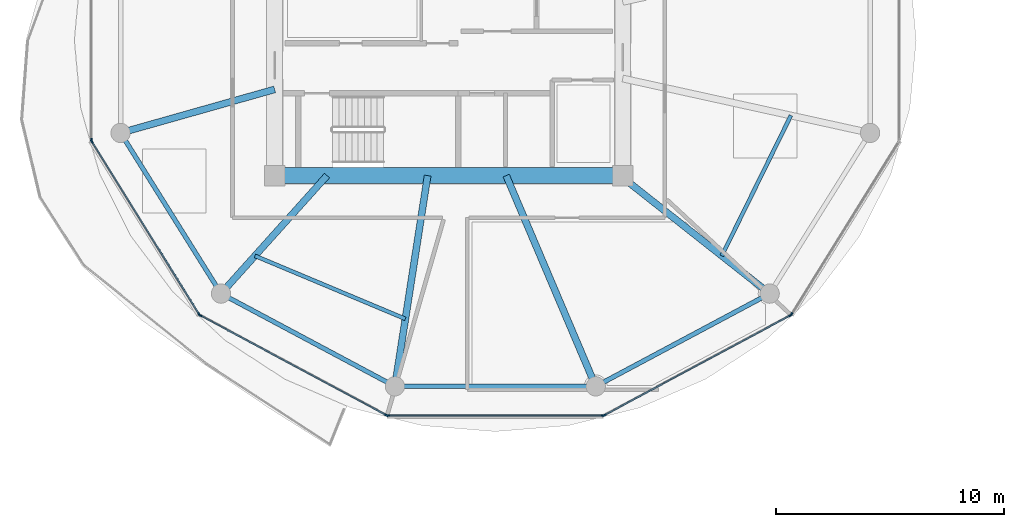
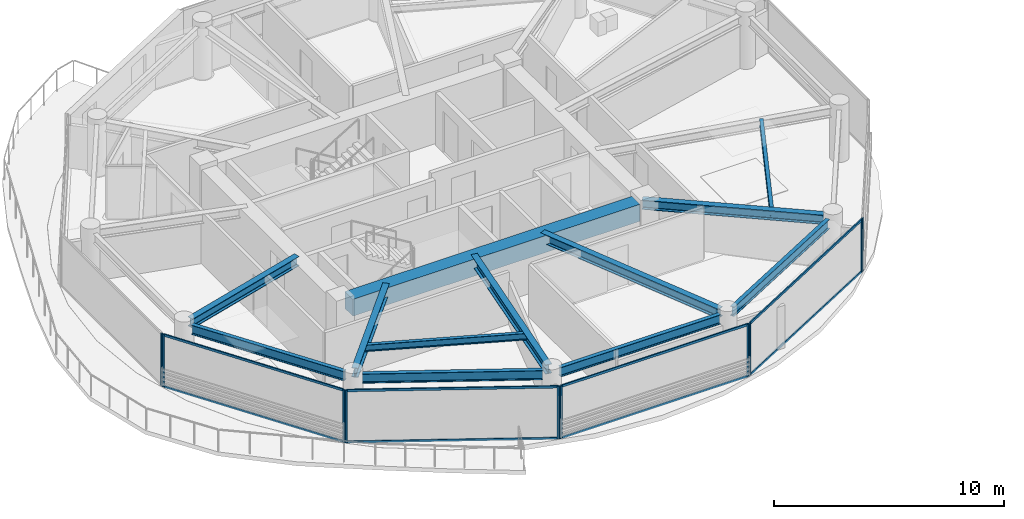
# One storey, part 2 of 25: 18 members, 12 beams, 6 elements without a shape of their own.
"""IFC4 building model written with IfcOpenShell, lengths in metres."""

from ifc_helpers import new_model, si_unit, direction, frame, origin, origin_2d, place, context, subcontext, project, spatial, rectangle, i_section, extrude, source, transform, mapped, material, layer, layer_set, material_profile, profile_set, type_object, type_shapes, element, aggregate, save


model = new_model("IFC4")

# Units and contexts
model_context = context("Model", 3, precision=1e-05, world=origin(), true_north=direction((0.0, 1.0)))
body_context = subcontext(model_context, "Body", "Model", "MODEL_VIEW")
ifc_project = project(units=[si_unit("LENGTHUNIT", "METRE"), si_unit("AREAUNIT", "SQUARE_METRE"), si_unit("VOLUMEUNIT", "CUBIC_METRE"), si_unit("PLANEANGLEUNIT", "RADIAN"), si_unit("MASSUNIT", "GRAM", prefix="KILO")], contexts=[model_context])

# Site, building, storey
site_placement = place(None, origin())
site = spatial("IfcSite", under=ifc_project, at=site_placement, CompositionType="ELEMENT")
building_placement = place(site_placement, origin())
building = spatial("IfcBuilding", under=site, at=building_placement, Name="Norrkilde Senior Care Towers", CompositionType="ELEMENT")
storey_placement = place(building_placement, frame((0.0, 0.0, 99.300048828125)))
storey = spatial("IfcBuildingStorey", under=building, at=storey_placement, Name="L30", CompositionType="ELEMENT", Elevation=99.300048828125)

# Beams
ifc_material_1 = material(Name="Concrete C60/75", Category="concrete")
ifc_material_profile_1 = material_profile(ifc_material_1, rectangle(XDim=0.699951171875, YDim=0.89990234375, at=origin_2d()), Name="RC BM 700x900")
ifc_profile_set_1 = profile_set([ifc_material_profile_1], Name="Concrete C60/75")
beam_type_1 = type_object("IfcBeamType", Name="Core Coupling Girder 700x900", PredefinedType="USERDEFINED", material=ifc_profile_set_1)
shared_shape_1 = source(origin(), body_context, "Body", "SweptSolid", [
    extrude(rectangle(XDim=0.699951171875, YDim=0.89990234375, at=origin_2d()), origin(), (0.0, 0.0, 1.0), 14.43994140625),
])
type_shapes(beam_type_1, [shared_shape_1])
beam_1_placement = place(storey_placement, frame((-35.219970703125, -5.949951171875, 2.33984375), z_axis=(1.0, 0.0, 0.0), x_axis=(0.0, 1.0, 0.0)))
element("IfcBeam", 1, at=beam_1_placement, inside=storey, type_object=beam_type_1, Name="L30 Core W S Coupling Girder", ObjectType="GIRDER", PredefinedType="USERDEFINED", context=body_context, shape_type="MappedRepresentation", body=[
    mapped(shared_shape_1, transform((0.0, 0.0, 0.0), x_axis=(1.0, 0.0, 0.0), y_axis=(0.0, 1.0, 0.0), z_axis=(0.0, 0.0, 1.0), scale=1.0)),
])
ifc_material_2 = material(Name="Steel S355", Category="steel")
ifc_material_profile_2 = material_profile(ifc_material_2, i_section(OverallWidth=0.199951171875, OverallDepth=0.5, WebThickness=0.01025390625, FlangeThickness=0.01611328125, FilletRadius=0.02099609375, at=origin_2d()), Name="IPE 500")
ifc_profile_set_2 = profile_set([ifc_material_profile_2], Name="Steel S355")
beam_type_2 = type_object("IfcBeamType", Name="Perimeter Ring Spandrel Z2 IPE500", PredefinedType="SPANDREL", material=ifc_profile_set_2)
shared_shape_2 = source(origin(), body_context, "Body", "SweptSolid", [
    extrude(i_section(OverallWidth=0.199951171875, OverallDepth=0.5, WebThickness=0.01025390625, FlangeThickness=0.01611328125, FilletRadius=0.02099609375, at=origin_2d()), origin(), (0.0, 0.0, 1.0), 7.892333984375),
])
for number, where, z_axis, x_axis, name in (
    (2, (-37.66650390625, -11.318115234375, 2.5400390625), (0.882350372282, -0.47059305194, 0.0), (0.47059305194, 0.882350372282, 0.0), "L30 Drum W Perimeter Spandrel 08"),
    (3, (-21.197509765625, -15.0322265625, 2.5400390625), (0.882350372282, 0.47059305194, 0.0), (-0.47059305194, 0.882350372282, 0.0), "L30 Drum W Perimeter Spandrel 10"),
):
    element("IfcBeam", number, at=place(storey_placement, frame(where, z_axis=z_axis, x_axis=x_axis)), inside=storey, type_object=beam_type_2, Name=name, PredefinedType="SPANDREL", context=body_context, shape_type="MappedRepresentation", body=[
        mapped(shared_shape_2, transform((0.0, 0.0, 0.0), x_axis=(1.0, 0.0, 0.0), y_axis=(0.0, 1.0, 0.0), z_axis=(0.0, 0.0, 1.0), scale=1.0)),
    ])
ifc_material_profile_3 = material_profile(ifc_material_2, i_section(OverallWidth=0.300048828125, OverallDepth=0.5, WebThickness=0.014404296875, FlangeThickness=0.028076171875, FilletRadius=0.027099609375, at=origin_2d()), Name="HEB 500")
ifc_profile_set_3 = profile_set([ifc_material_profile_3], Name="Steel S355")
beam_type_3 = type_object("IfcBeamType", Name="Radial Floor Beam Z2 HEB500", PredefinedType="BEAM", material=ifc_profile_set_3)
shared_shape_3 = source(origin(), body_context, "Body", "SweptSolid", [
    extrude(i_section(OverallWidth=0.300048828125, OverallDepth=0.5, WebThickness=0.014404296875, FlangeThickness=0.028076171875, FilletRadius=0.027099609375, at=origin_2d()), origin(), (0.0, 0.0, 1.0), 7.985595703125),
])
beam_2_placement = place(storey_placement, frame((-20.463623046875, -5.949951171875, 2.5400390625), z_axis=(0.784858505144, -0.619675017169, 0.0), x_axis=(0.619675017169, 0.784858505144, 0.0)))
element("IfcBeam", 4, at=beam_2_placement, inside=storey, type_object=beam_type_3, Name="L30 Drum W Radial Floor Beam 11", PredefinedType="BEAM", context=body_context, shape_type="MappedRepresentation", body=[
    mapped(shared_shape_3, transform((0.0, 0.0, 0.0), x_axis=(1.0, 0.0, 0.0), y_axis=(0.0, 1.0, 0.0), z_axis=(0.0, 0.0, 1.0), scale=1.0)),
])
shared_shape_4 = source(origin(), body_context, "Body", "SweptSolid", [
    extrude(i_section(OverallWidth=0.199951171875, OverallDepth=0.5, WebThickness=0.01025390625, FlangeThickness=0.01611328125, FilletRadius=0.02099609375, at=origin_2d()), origin(), (0.0, 0.0, 1.0), 8.0556640625),
])
beam_3_placement = place(storey_placement, frame((-29.977783203125, -15.21337890625, 2.5400390625), z_axis=(1.0, 0.0, 0.0), x_axis=(0.0, 1.0, 0.0)))
element("IfcBeam", 5, at=beam_3_placement, inside=storey, type_object=beam_type_2, Name="L30 Drum W Perimeter Spandrel 09", PredefinedType="SPANDREL", context=body_context, shape_type="MappedRepresentation", body=[
    mapped(shared_shape_4, transform((0.0, 0.0, 0.0), x_axis=(1.0, 0.0, 0.0), y_axis=(0.0, 1.0, 0.0), z_axis=(0.0, 0.0, 1.0), scale=1.0)),
])
shared_shape_5 = source(origin(), body_context, "Body", "SweptSolid", [
    extrude(i_section(OverallWidth=0.300048828125, OverallDepth=0.5, WebThickness=0.014404296875, FlangeThickness=0.028076171875, FilletRadius=0.027099609375, at=origin_2d()), origin(), (0.0, 0.0, 1.0), 9.679443359375),
])
beam_4_placement = place(storey_placement, frame((-25.472412109375, -5.949951171875, 2.5400390625), z_axis=(0.390998033479, -0.920391513333, 0.0), x_axis=(0.920391513333, 0.390998033479, 0.0)))
element("IfcBeam", 6, at=beam_4_placement, inside=storey, type_object=beam_type_3, Name="L30 Drum W Radial Floor Beam 10", PredefinedType="BEAM", context=body_context, shape_type="MappedRepresentation", body=[
    mapped(shared_shape_5, transform((0.0, 0.0, 0.0), x_axis=(1.0, 0.0, 0.0), y_axis=(0.0, 1.0, 0.0), z_axis=(0.0, 0.0, 1.0), scale=1.0)),
])
shared_shape_6 = source(origin(), body_context, "Body", "SweptSolid", [
    extrude(i_section(OverallWidth=0.300048828125, OverallDepth=0.5, WebThickness=0.014404296875, FlangeThickness=0.028076171875, FilletRadius=0.027099609375, at=origin_2d()), origin(), (0.0, 0.0, 1.0), 8.989501953125),
])
beam_5_placement = place(storey_placement, frame((-28.924072265625, -5.949951171875, 2.5400390625), z_axis=(-0.153471298636, -0.988153105796, 0.0), x_axis=(0.988153105796, -0.153471298636, 0.0)))
element("IfcBeam", 7, at=beam_5_placement, inside=storey, type_object=beam_type_3, Name="L30 Drum W Radial Floor Beam 09", PredefinedType="BEAM", context=body_context, shape_type="MappedRepresentation", body=[
    mapped(shared_shape_6, transform((0.0, 0.0, 0.0), x_axis=(1.0, 0.0, 0.0), y_axis=(0.0, 1.0, 0.0), z_axis=(0.0, 0.0, 1.0), scale=1.0)),
])
shared_shape_7 = source(origin(), body_context, "Body", "SweptSolid", [
    extrude(i_section(OverallWidth=0.199951171875, OverallDepth=0.5, WebThickness=0.01025390625, FlangeThickness=0.01611328125, FilletRadius=0.02099609375, at=origin_2d()), origin(), (0.0, 0.0, 1.0), 7.556396484375),
])
type_shapes(beam_type_2, [shared_shape_2, shared_shape_4, shared_shape_7])
beam_6_placement = place(storey_placement, frame((-42.215087890625, -4.40283203125, 2.5400390625), z_axis=(0.530004748437, -0.847994673706, 0.0), x_axis=(0.847994673706, 0.530004748437, 0.0)))
element("IfcBeam", 8, at=beam_6_placement, inside=storey, type_object=beam_type_2, Name="L30 Drum W Perimeter Spandrel 07", PredefinedType="SPANDREL", context=body_context, shape_type="MappedRepresentation", body=[
    mapped(shared_shape_7, transform((0.0, 0.0, 0.0), x_axis=(1.0, 0.0, 0.0), y_axis=(0.0, 1.0, 0.0), z_axis=(0.0, 0.0, 1.0), scale=1.0)),
])
shared_shape_8 = source(origin(), body_context, "Body", "SweptSolid", [
    extrude(i_section(OverallWidth=0.300048828125, OverallDepth=0.5, WebThickness=0.014404296875, FlangeThickness=0.028076171875, FilletRadius=0.027099609375, at=origin_2d()), origin(), (0.0, 0.0, 1.0), 6.587890625),
])
beam_7_placement = place(storey_placement, frame((-33.345947265625, -5.949951171875, 2.5400390625), z_axis=(-0.668315438605, -0.743877997068, 0.0), x_axis=(0.743877997068, -0.668315438605, 0.0)))
element("IfcBeam", 9, at=beam_7_placement, inside=storey, type_object=beam_type_3, Name="L30 Drum W Radial Floor Beam 08", PredefinedType="BEAM", context=body_context, shape_type="MappedRepresentation", body=[
    mapped(shared_shape_8, transform((0.0, 0.0, 0.0), x_axis=(1.0, 0.0, 0.0), y_axis=(0.0, 1.0, 0.0), z_axis=(0.0, 0.0, 1.0), scale=1.0)),
])
shared_shape_9 = source(origin(), body_context, "Body", "SweptSolid", [
    extrude(i_section(OverallWidth=0.300048828125, OverallDepth=0.5, WebThickness=0.014404296875, FlangeThickness=0.028076171875, FilletRadius=0.027099609375, at=origin_2d()), origin(), (0.0, 0.0, 1.0), 6.6494140625),
])
type_shapes(beam_type_3, [shared_shape_3, shared_shape_5, shared_shape_6, shared_shape_8, shared_shape_9])
beam_8_placement = place(storey_placement, frame((-35.64990234375, -2.162841796875, 2.5400390625), z_axis=(-0.962289138357, -0.27202870106, 0.0), x_axis=(0.27202870106, -0.962289138357, 0.0)))
element("IfcBeam", 10, at=beam_8_placement, inside=storey, type_object=beam_type_3, Name="L30 Drum W Radial Floor Beam 07", PredefinedType="BEAM", context=body_context, shape_type="MappedRepresentation", body=[
    mapped(shared_shape_9, transform((0.0, 0.0, 0.0), x_axis=(1.0, 0.0, 0.0), y_axis=(0.0, 1.0, 0.0), z_axis=(0.0, 0.0, 1.0), scale=1.0)),
])
ifc_material_profile_4 = material_profile(ifc_material_2, i_section(OverallWidth=0.169921875, OverallDepth=0.360107421875, WebThickness=0.008056640625, FlangeThickness=0.0126953125, FilletRadius=0.01806640625, at=origin_2d()), Name="IPE 360")
ifc_profile_set_4 = profile_set([ifc_material_profile_4], Name="Steel S355")
beam_type_4 = type_object("IfcBeamType", Name="Secondary Floor Joist IPE360", PredefinedType="JOIST", material=ifc_profile_set_4)
shared_shape_10 = source(origin(), body_context, "Body", "SweptSolid", [
    extrude(i_section(OverallWidth=0.169921875, OverallDepth=0.360107421875, WebThickness=0.008056640625, FlangeThickness=0.0126953125, FilletRadius=0.01806640625, at=origin_2d()), origin(), (0.0, 0.0, 1.0), 7.169921875),
])
beam_9_placement = place(storey_placement, frame((-36.514892578125, -9.47705078125, 2.60986328125), z_axis=(0.922240600393, -0.386616444279, 0.0), x_axis=(0.386616444279, 0.922240600393, 0.0)))
element("IfcBeam", 11, at=beam_9_placement, inside=storey, type_object=beam_type_4, Name="L30 Drum W Secondary Floor Joist 3", PredefinedType="JOIST", context=body_context, shape_type="MappedRepresentation", body=[
    mapped(shared_shape_10, transform((0.0, 0.0, 0.0), x_axis=(1.0, 0.0, 0.0), y_axis=(0.0, 1.0, 0.0), z_axis=(0.0, 0.0, 1.0), scale=1.0)),
])
shared_shape_11 = source(origin(), body_context, "Body", "SweptSolid", [
    extrude(i_section(OverallWidth=0.169921875, OverallDepth=0.360107421875, WebThickness=0.008056640625, FlangeThickness=0.0126953125, FilletRadius=0.01806640625, at=origin_2d()), origin(), (0.0, 0.0, 1.0), 6.87353515625),
])
type_shapes(beam_type_4, [shared_shape_10, shared_shape_11])
beam_10_placement = place(storey_placement, frame((-15.99609375, -9.47705078125, 2.60986328125), z_axis=(0.44184939592, 0.897089243791, 0.0), x_axis=(-0.897089243791, 0.44184939592, 0.0)))
element("IfcBeam", 12, at=beam_10_placement, inside=storey, type_object=beam_type_4, Name="L30 Drum W Secondary Floor Joist 4", PredefinedType="JOIST", context=body_context, shape_type="MappedRepresentation", body=[
    mapped(shared_shape_11, transform((0.0, 0.0, 0.0), x_axis=(1.0, 0.0, 0.0), y_axis=(0.0, 1.0, 0.0), z_axis=(0.0, 0.0, 1.0), scale=1.0)),
])

# Curtain wall, member
ifc_material_3 = material(Name="Triple Low-E Insulated Glazing", Category="glass")
ifc_layer = layer(ifc_material_3, 0.195068359375)
ifc_layer_set = layer_set([ifc_layer], Name="Triple Low-E Insulated Glazing")
curtain_wall_type = type_object("IfcCurtainWallType", Name="CW3 Zone 2 Assisted Living Curtain Wall", PredefinedType="NOTDEFINED", material=ifc_layer_set)
curtain_wall_1_placement = place(storey_placement, origin())
curtain_wall_1 = element("IfcCurtainWall", 13, at=curtain_wall_1_placement, inside=storey, type_object=curtain_wall_type, Name="L30 Drum W Curtain Wall 05", PredefinedType="NOTDEFINED")
ifc_material_4 = material(Name="Anodised Aluminium", Category="aluminium")
ifc_material_profile_5 = material_profile(ifc_material_4, rectangle(XDim=0.06494140625, YDim=0.159912109375, at=origin_2d()), Name="ALU MULL 65x160")
ifc_profile_set_5 = profile_set([ifc_material_profile_5], Name="Anodised Aluminium")
member_type_1 = type_object("IfcMemberType", Name="Curtain Wall Mullion Z1-Z2 65x160", PredefinedType="MULLION", material=ifc_profile_set_5)
shared_shape_12 = source(origin(), body_context, "Body", "SweptSolid", [
    extrude(rectangle(XDim=0.06494140625, YDim=0.159912109375, at=origin_2d()), origin(), (0.0, 0.0, 1.0), 2.7900390625),
])
type_shapes(member_type_1, [shared_shape_12])
member_1_placement = place(storey_placement, frame((-43.70361328125, -4.38818359375, 0.0), z_axis=(0.0, 0.0, 1.0), x_axis=(-1.0, 0.0, 0.0)))
member_1 = element("IfcMember", 14, at=member_1_placement, type_object=member_type_1, Name="CW-3 mullion 1", PredefinedType="MULLION", context=body_context, shape_type="MappedRepresentation", body=[
    mapped(shared_shape_12, transform((0.0, 0.0, 0.0), x_axis=(1.0, 0.0, 0.0), y_axis=(0.0, 1.0, 0.0), z_axis=(0.0, 0.0, 1.0), scale=1.0)),
])
aggregate(curtain_wall_1, [member_1])

# Curtain wall, members
curtain_wall_2_placement = place(storey_placement, origin())
curtain_wall_2 = element("IfcCurtainWall", 15, at=curtain_wall_2_placement, inside=storey, type_object=curtain_wall_type, Name="L30 Drum W Curtain Wall 06", PredefinedType="NOTDEFINED")
member_2_placement = place(storey_placement, frame((-38.9638671875, -12.0498046875, 0.0), z_axis=(0.0, 0.0, 1.0), x_axis=(-0.849410171862, -0.527733228002, 0.0)))
member_2 = element("IfcMember", 16, at=member_2_placement, type_object=member_type_1, Name="CW-3 mullion 1", PredefinedType="MULLION", context=body_context, shape_type="MappedRepresentation", body=[
    mapped(shared_shape_12, transform((0.0, 0.0, 0.0), x_axis=(1.0, 0.0, 0.0), y_axis=(0.0, 1.0, 0.0), z_axis=(0.0, 0.0, 1.0), scale=1.0)),
])
member_3_placement = place(storey_placement, frame((-43.6865234375, -4.4482421875, 0.0), z_axis=(0.0, 0.0, 1.0), x_axis=(-0.849410171862, -0.527733228002, 0.0)))
member_3 = element("IfcMember", 17, at=member_3_placement, type_object=member_type_1, Name="CW-3 mullion 2", PredefinedType="MULLION", context=body_context, shape_type="MappedRepresentation", body=[
    mapped(shared_shape_12, transform((0.0, 0.0, 0.0), x_axis=(1.0, 0.0, 0.0), y_axis=(0.0, 1.0, 0.0), z_axis=(0.0, 0.0, 1.0), scale=1.0)),
])

curtain_wall_3_placement = place(storey_placement, origin())
curtain_wall_3 = element("IfcCurtainWall", 18, at=curtain_wall_3_placement, inside=storey, type_object=curtain_wall_type, Name="L30 Drum W Curtain Wall 07", PredefinedType="NOTDEFINED")
member_4_placement = place(storey_placement, frame((-30.73583984375, -16.482666015625, 0.0), z_axis=(0.0, 0.0, 1.0), x_axis=(-0.472769402511, -0.881186184668, 0.0)))
member_4 = element("IfcMember", 19, at=member_4_placement, type_object=member_type_1, Name="CW-3 mullion 1", PredefinedType="MULLION", context=body_context, shape_type="MappedRepresentation", body=[
    mapped(shared_shape_12, transform((0.0, 0.0, 0.0), x_axis=(1.0, 0.0, 0.0), y_axis=(0.0, 1.0, 0.0), z_axis=(0.0, 0.0, 1.0), scale=1.0)),
])
member_5_placement = place(storey_placement, frame((-38.91796875, -12.0927734375, 0.0), z_axis=(0.0, 0.0, 1.0), x_axis=(-0.472769402511, -0.881186184668, 0.0)))
member_5 = element("IfcMember", 20, at=member_5_placement, type_object=member_type_1, Name="CW-3 mullion 2", PredefinedType="MULLION", context=body_context, shape_type="MappedRepresentation", body=[
    mapped(shared_shape_12, transform((0.0, 0.0, 0.0), x_axis=(1.0, 0.0, 0.0), y_axis=(0.0, 1.0, 0.0), z_axis=(0.0, 0.0, 1.0), scale=1.0)),
])

curtain_wall_4_placement = place(storey_placement, origin())
curtain_wall_4 = element("IfcCurtainWall", 21, at=curtain_wall_4_placement, inside=storey, type_object=curtain_wall_type, Name="L30 Drum W Curtain Wall 08", PredefinedType="NOTDEFINED")
member_6_placement = place(storey_placement, frame((-21.225341796875, -16.498046875, 0.0), z_axis=(0.0, 0.0, 1.0), x_axis=(0.0, -1.0, 0.0)))
member_6 = element("IfcMember", 22, at=member_6_placement, type_object=member_type_1, Name="CW-3 mullion 1", PredefinedType="MULLION", context=body_context, shape_type="MappedRepresentation", body=[
    mapped(shared_shape_12, transform((0.0, 0.0, 0.0), x_axis=(1.0, 0.0, 0.0), y_axis=(0.0, 1.0, 0.0), z_axis=(0.0, 0.0, 1.0), scale=1.0)),
])
member_7_placement = place(storey_placement, frame((-30.674560546875, -16.498046875, 0.0), z_axis=(0.0, 0.0, 1.0), x_axis=(0.0, -1.0, 0.0)))
member_7 = element("IfcMember", 23, at=member_7_placement, type_object=member_type_1, Name="CW-3 mullion 2", PredefinedType="MULLION", context=body_context, shape_type="MappedRepresentation", body=[
    mapped(shared_shape_12, transform((0.0, 0.0, 0.0), x_axis=(1.0, 0.0, 0.0), y_axis=(0.0, 1.0, 0.0), z_axis=(0.0, 0.0, 1.0), scale=1.0)),
])

curtain_wall_5_placement = place(storey_placement, origin())
curtain_wall_5 = element("IfcCurtainWall", 24, at=curtain_wall_5_placement, inside=storey, type_object=curtain_wall_type, Name="L30 Drum W Curtain Wall 09", PredefinedType="NOTDEFINED")
member_8_placement = place(storey_placement, frame((-12.98193359375, -12.0927734375, 0.0), z_axis=(0.0, 0.0, 1.0), x_axis=(0.472769402511, -0.881186184668, 0.0)))
member_8 = element("IfcMember", 25, at=member_8_placement, type_object=member_type_1, Name="CW-3 mullion 1", PredefinedType="MULLION", context=body_context, shape_type="MappedRepresentation", body=[
    mapped(shared_shape_12, transform((0.0, 0.0, 0.0), x_axis=(1.0, 0.0, 0.0), y_axis=(0.0, 1.0, 0.0), z_axis=(0.0, 0.0, 1.0), scale=1.0)),
])
member_9_placement = place(storey_placement, frame((-21.164306640625, -16.482666015625, 0.0), z_axis=(0.0, 0.0, 1.0), x_axis=(0.472769402511, -0.881186184668, 0.0)))
member_9 = element("IfcMember", 26, at=member_9_placement, type_object=member_type_1, Name="CW-3 mullion 2", PredefinedType="MULLION", context=body_context, shape_type="MappedRepresentation", body=[
    mapped(shared_shape_12, transform((0.0, 0.0, 0.0), x_axis=(1.0, 0.0, 0.0), y_axis=(0.0, 1.0, 0.0), z_axis=(0.0, 0.0, 1.0), scale=1.0)),
])

# Curtain wall, member
curtain_wall_6_placement = place(storey_placement, origin())
curtain_wall_6 = element("IfcCurtainWall", 27, at=curtain_wall_6_placement, inside=storey, type_object=curtain_wall_type, Name="L30 Drum W Curtain Wall 10", PredefinedType="NOTDEFINED")
member_10_placement = place(storey_placement, frame((-12.936279296875, -12.0498046875, 0.0), z_axis=(0.0, 0.0, 1.0), x_axis=(0.849410171862, -0.527733228002, 0.0)))
member_10 = element("IfcMember", 28, at=member_10_placement, type_object=member_type_1, Name="CW-3 mullion 2", PredefinedType="MULLION", context=body_context, shape_type="MappedRepresentation", body=[
    mapped(shared_shape_12, transform((0.0, 0.0, 0.0), x_axis=(1.0, 0.0, 0.0), y_axis=(0.0, 1.0, 0.0), z_axis=(0.0, 0.0, 1.0), scale=1.0)),
])
aggregate(curtain_wall_6, [member_10])

# Member
ifc_material_profile_6 = material_profile(ifc_material_4, rectangle(XDim=0.06005859375, YDim=0.1201171875, at=origin_2d()), Name="ALU TRAN 60x120")
ifc_profile_set_6 = profile_set([ifc_material_profile_6], Name="Anodised Aluminium")
member_type_2 = type_object("IfcMemberType", Name="Curtain Wall Transom Typical 60x120", PredefinedType="USERDEFINED", material=ifc_profile_set_6)
shared_shape_13 = source(origin(), body_context, "Body", "SweptSolid", [
    extrude(rectangle(XDim=0.06005859375, YDim=0.1201171875, at=origin_2d()), origin(), (0.0, 0.0, 1.0), 8.88427734375),
])
member_11_placement = place(storey_placement, frame((-38.98095703125, -12.022216796875, 0.030029296875), z_axis=(-0.527729466743, 0.849412508697, 0.0), x_axis=(-0.849412508697, -0.527729466743, 0.0)))
member_11 = element("IfcMember", 29, at=member_11_placement, type_object=member_type_2, Name="CW-3 transom 1.1", ObjectType="TRANSOM", PredefinedType="USERDEFINED", context=body_context, shape_type="MappedRepresentation", body=[
    mapped(shared_shape_13, transform((0.0, 0.0, 0.0), x_axis=(1.0, 0.0, 0.0), y_axis=(0.0, 1.0, 0.0), z_axis=(0.0, 0.0, 1.0), scale=1.0)),
])

member_12_placement = place(storey_placement, frame((-38.98095703125, -12.022216796875, 2.760009765625), z_axis=(-0.527729466743, 0.849412508697, 0.0), x_axis=(-0.849412508697, -0.527729466743, 0.0)))
member_12 = element("IfcMember", 30, at=member_12_placement, type_object=member_type_2, Name="CW-3 transom 1.2", ObjectType="TRANSOM", PredefinedType="USERDEFINED", context=body_context, shape_type="MappedRepresentation", body=[
    mapped(shared_shape_13, transform((0.0, 0.0, 0.0), x_axis=(1.0, 0.0, 0.0), y_axis=(0.0, 1.0, 0.0), z_axis=(0.0, 0.0, 1.0), scale=1.0)),
])

aggregate(curtain_wall_2, [member_2, member_3, member_11, member_12])

shared_shape_14 = source(origin(), body_context, "Body", "SweptSolid", [
    extrude(rectangle(XDim=0.06005859375, YDim=0.1201171875, at=origin_2d()), origin(), (0.0, 0.0, 1.0), 9.220458984375),
])
member_13_placement = place(storey_placement, frame((-30.764404296875, -16.46728515625, 0.030029296875), z_axis=(-0.881188517866, 0.472765053681, 0.0), x_axis=(-0.472765053681, -0.881188517866, 0.0)))
member_13 = element("IfcMember", 31, at=member_13_placement, type_object=member_type_2, Name="CW-3 transom 1.1", ObjectType="TRANSOM", PredefinedType="USERDEFINED", context=body_context, shape_type="MappedRepresentation", body=[
    mapped(shared_shape_14, transform((0.0, 0.0, 0.0), x_axis=(1.0, 0.0, 0.0), y_axis=(0.0, 1.0, 0.0), z_axis=(0.0, 0.0, 1.0), scale=1.0)),
])

member_14_placement = place(storey_placement, frame((-30.764404296875, -16.46728515625, 2.760009765625), z_axis=(-0.881188517866, 0.472765053681, 0.0), x_axis=(-0.472765053681, -0.881188517866, 0.0)))
member_14 = element("IfcMember", 32, at=member_14_placement, type_object=member_type_2, Name="CW-3 transom 1.2", ObjectType="TRANSOM", PredefinedType="USERDEFINED", context=body_context, shape_type="MappedRepresentation", body=[
    mapped(shared_shape_14, transform((0.0, 0.0, 0.0), x_axis=(1.0, 0.0, 0.0), y_axis=(0.0, 1.0, 0.0), z_axis=(0.0, 0.0, 1.0), scale=1.0)),
])

aggregate(curtain_wall_3, [member_4, member_5, member_13, member_14])

member_15_placement = place(storey_placement, frame((-13.0107421875, -12.108154296875, 0.030029296875), z_axis=(-0.881188517866, -0.472765053681, 0.0), x_axis=(0.472765053681, -0.881188517866, 0.0)))
member_15 = element("IfcMember", 33, at=member_15_placement, type_object=member_type_2, Name="CW-3 transom 1.1", ObjectType="TRANSOM", PredefinedType="USERDEFINED", context=body_context, shape_type="MappedRepresentation", body=[
    mapped(shared_shape_14, transform((0.0, 0.0, 0.0), x_axis=(1.0, 0.0, 0.0), y_axis=(0.0, 1.0, 0.0), z_axis=(0.0, 0.0, 1.0), scale=1.0)),
])

member_16_placement = place(storey_placement, frame((-13.0107421875, -12.108154296875, 2.760009765625), z_axis=(-0.881188517866, -0.472765053681, 0.0), x_axis=(0.472765053681, -0.881188517866, 0.0)))
member_16 = element("IfcMember", 34, at=member_16_placement, type_object=member_type_2, Name="CW-3 transom 1.2", ObjectType="TRANSOM", PredefinedType="USERDEFINED", context=body_context, shape_type="MappedRepresentation", body=[
    mapped(shared_shape_14, transform((0.0, 0.0, 0.0), x_axis=(1.0, 0.0, 0.0), y_axis=(0.0, 1.0, 0.0), z_axis=(0.0, 0.0, 1.0), scale=1.0)),
])

aggregate(curtain_wall_5, [member_8, member_9, member_15, member_16])

shared_shape_15 = source(origin(), body_context, "Body", "SweptSolid", [
    extrude(rectangle(XDim=0.06005859375, YDim=0.1201171875, at=origin_2d()), origin(), (0.0, 0.0, 1.0), 9.38427734375),
])
type_shapes(member_type_2, [shared_shape_13, shared_shape_14, shared_shape_15])
member_17_placement = place(storey_placement, frame((-21.2578125, -16.498046875, 0.030029296875), z_axis=(-1.0, 0.0, 0.0), x_axis=(0.0, -1.0, 0.0)))
member_17 = element("IfcMember", 35, at=member_17_placement, type_object=member_type_2, Name="CW-3 transom 1.1", ObjectType="TRANSOM", PredefinedType="USERDEFINED", context=body_context, shape_type="MappedRepresentation", body=[
    mapped(shared_shape_15, transform((0.0, 0.0, 0.0), x_axis=(1.0, 0.0, 0.0), y_axis=(0.0, 1.0, 0.0), z_axis=(0.0, 0.0, 1.0), scale=1.0)),
])

member_18_placement = place(storey_placement, frame((-21.2578125, -16.498046875, 2.760009765625), z_axis=(-1.0, 0.0, 0.0), x_axis=(0.0, -1.0, 0.0)))
member_18 = element("IfcMember", 36, at=member_18_placement, type_object=member_type_2, Name="CW-3 transom 1.2", ObjectType="TRANSOM", PredefinedType="USERDEFINED", context=body_context, shape_type="MappedRepresentation", body=[
    mapped(shared_shape_15, transform((0.0, 0.0, 0.0), x_axis=(1.0, 0.0, 0.0), y_axis=(0.0, 1.0, 0.0), z_axis=(0.0, 0.0, 1.0), scale=1.0)),
])

aggregate(curtain_wall_4, [member_6, member_7, member_17, member_18])

save(model, "model.ifc")
